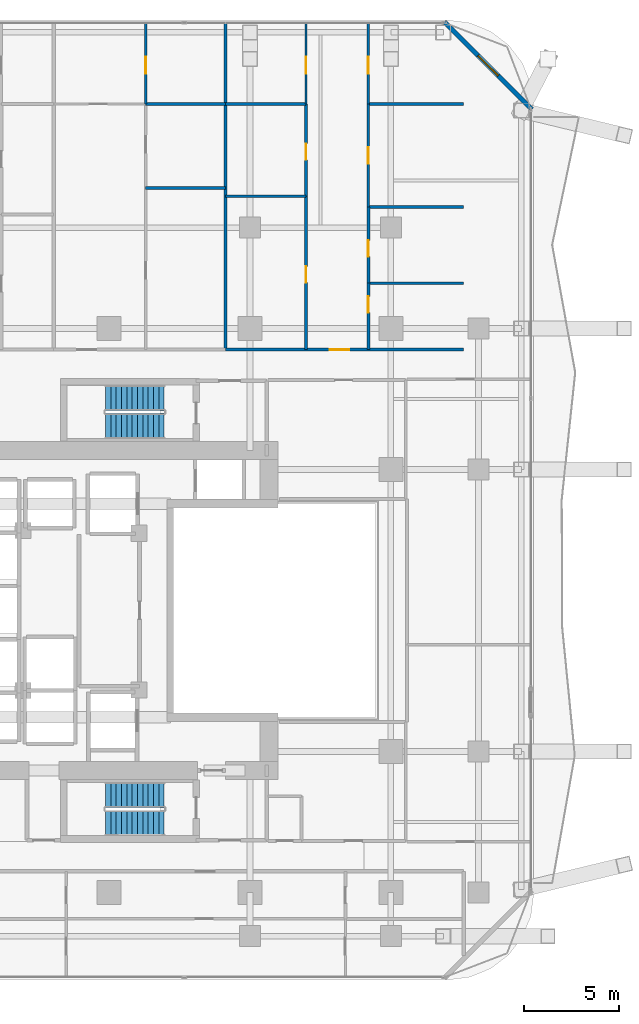
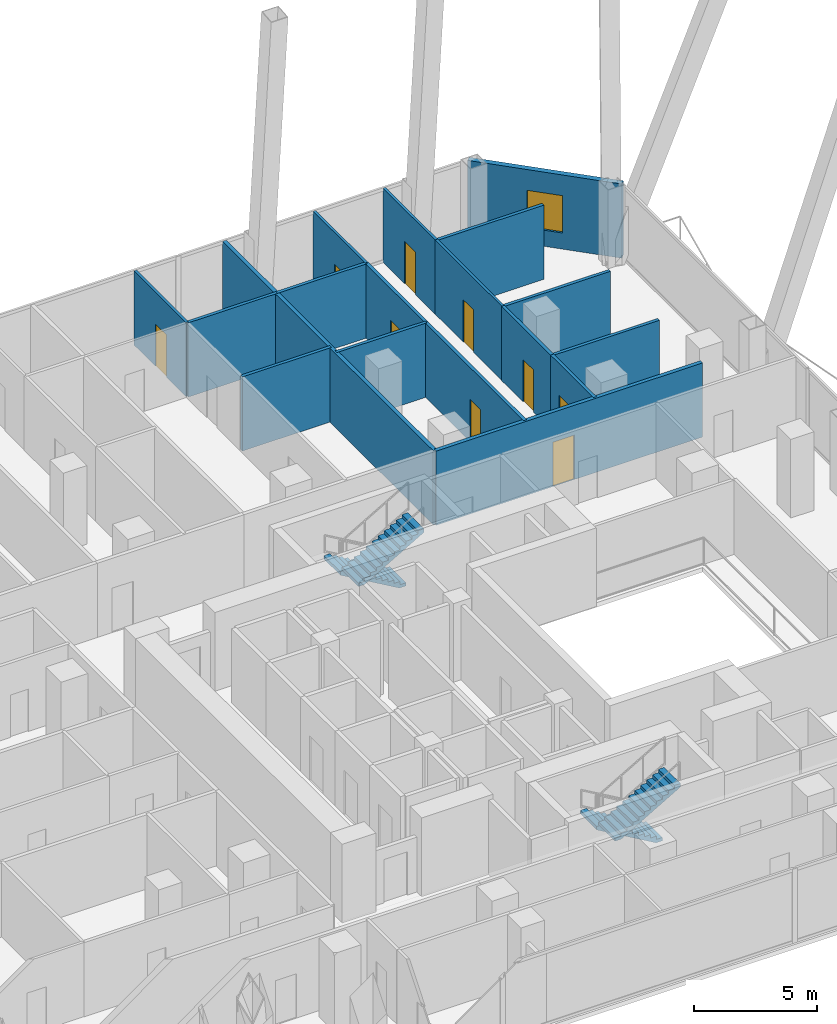
# One storey, part 28 of 32: 18 walls, 9 doors, 4 stair flights, 1 window, 10 openings, 2 elements without a shape of their own.
"""IFC4 building model written with IfcOpenShell, lengths in metres."""

from ifc_helpers import new_model, si_unit, direction, frame, frame_2d, origin, place, context, subcontext, project, spatial, polyline, rectangle, outline, extrude, material, layer, layer_set, type_object, element, fill, aggregate, save


model = new_model("IFC4")

# Units and contexts
model_context = context("Model", 3, precision=1e-05, world=origin(), true_north=direction((0.0, 1.0)))
body_context = subcontext(model_context, "Body", "Model", "MODEL_VIEW")
ifc_project = project(units=[si_unit("LENGTHUNIT", "METRE"), si_unit("AREAUNIT", "SQUARE_METRE"), si_unit("VOLUMEUNIT", "CUBIC_METRE"), si_unit("PLANEANGLEUNIT", "RADIAN"), si_unit("MASSUNIT", "GRAM", prefix="KILO")], contexts=[model_context])

# Site, building, storey
site_placement = place(None, origin())
site = spatial("IfcSite", under=ifc_project, at=site_placement, CompositionType="ELEMENT")
building_placement = place(site_placement, origin())
building = spatial("IfcBuilding", under=site, at=building_placement, Name="Khorvyn Point Tower", CompositionType="ELEMENT")
storey_placement = place(building_placement, frame((0.0, 0.0, 93.0)))
storey = spatial("IfcBuildingStorey", under=building, at=storey_placement, Name="L23", CompositionType="ELEMENT", Elevation=93.0)

# Wall, opening, door
ifc_material_1 = material(Name="Double acoustic gypsum on twin steel stud", Category="steel")
ifc_layer_1 = layer(ifc_material_1, 0.179931640625)
ifc_layer_set_1 = layer_set([ifc_layer_1], Name="Acoustic Double-Stud Apartment Demising Wall 180")
wall_type_1 = type_object("IfcWallType", Name="Acoustic Double-Stud Apartment Demising Wall 180", PredefinedType="PARTITIONING", material=ifc_layer_set_1)
wall_1_placement = place(storey_placement, frame((6.116943359375, 13.699951171875, 0.0), z_axis=(0.0, 0.0, 1.0), x_axis=(1.0, 0.0, 0.0)))
wall_1 = element("IfcWall", 1, at=wall_1_placement, inside=storey, type_object=wall_type_1, Name="Wall", PredefinedType="PARTITIONING", context=body_context, shape_type="SweptSolid", body=[
    extrude(rectangle(XDim=12.503173828125, YDim=0.179931640625, at=frame_2d((6.25146484375, 0.0))), origin(), (0.0, 0.0, 1.0), 3.679931640625),
])
opening_1_placement = place(wall_1_placement, frame((5.485107421875, 0.0, 0.0)))
opening_1 = element("IfcOpeningElement", 2, at=opening_1_placement, cuts=wall_1, Name="Opening ID-AP60", PredefinedType="OPENING", context=body_context, shape_type="SweptSolid", body=[
    extrude(rectangle(XDim=1.0, YDim=2.199951171875, at=frame_2d((0.5, 1.10009765625))), frame((0.0, 0.099853515625, 0.0), z_axis=(0.0, -1.0, 0.0), x_axis=(1.0, 0.0, 0.0)), (0.0, 0.0, 1.0), 0.199951171875),
])
ifc_material_2 = material(Name="Engineered hardwood fire-rated leaf", Category="wood")
door_type_1 = type_object("IfcDoorType", Name="Acoustic Solid-Core Timber Apartment Entrance Door 1000x2200", OperationType="NOTDEFINED", PredefinedType="DOOR", material=ifc_material_2)
door_1_placement = place(opening_1_placement, origin())
door_1 = element("IfcDoor", 3, at=door_1_placement, inside=storey, type_object=door_type_1, Name="Door", OperationType="SINGLE_SWING_LEFT", OverallHeight=2.199951171875, OverallWidth=1.0, PredefinedType="DOOR", context=body_context, shape_type="SweptSolid", body=[
    extrude(rectangle(XDim=1.0, YDim=2.199951171875, at=frame_2d((0.5, 1.10009765625))), frame((0.0, 0.02490234375, 0.0), z_axis=(0.0, -1.0, 0.0), x_axis=(1.0, 0.0, 0.0)), (0.0, 0.0, 1.0), 0.050048828125),
])
fill(opening_1, door_1)

# Wall
wall_2_placement = place(storey_placement, frame((6.116943359375, 13.699951171875, 0.0), z_axis=(0.0, 0.0, 1.0), x_axis=(0.0, 1.0, 0.0)))
element("IfcWall", 4, at=wall_2_placement, inside=storey, type_object=wall_type_1, Name="Wall", PredefinedType="PARTITIONING", context=body_context, shape_type="SweptSolid", body=[
    extrude(rectangle(XDim=17.130126953125, YDim=0.179931640625, at=frame_2d((8.56494140625, 0.0))), origin(), (0.0, 0.0, 1.0), 3.679931640625),
])

# Wall, opening, window
ifc_material_3 = material(Name="Pale anodised aluminium rainscreen on steel stud", Category="steel")
ifc_layer_2 = layer(ifc_material_3, 0.239990234375)
ifc_layer_set_2 = layer_set([ifc_layer_2], Name="Anodised Aluminium Insulated Corner Spandrel Wall 240")
wall_type_2 = type_object("IfcWallType", Name="Anodised Aluminium Insulated Corner Spandrel Wall 240", PredefinedType="SOLIDWALL", material=ifc_layer_set_2)
wall_3_placement = place(storey_placement, frame((17.607666015625, 30.892333984375, 0.0), z_axis=(0.0, 0.0, 1.0), x_axis=(0.707106781187, -0.707106781187, 0.0)))
wall_3 = element("IfcWall", 5, at=wall_3_placement, inside=storey, type_object=wall_type_2, Name="L23 Rounded Corner Wall NE", PredefinedType="SOLIDWALL", context=body_context, shape_type="SweptSolid", body=[
    extrude(rectangle(XDim=6.48388671875, YDim=0.239990234375, at=frame_2d((3.241943359375, 0.0))), origin(), (0.0, 0.0, 1.0), 3.679931640625),
])
opening_2_placement = place(wall_3_placement, frame((2.491943359375, 0.0, 0.800048828125)))
opening_2 = element("IfcOpeningElement", 6, at=opening_2_placement, cuts=wall_3, Name="Opening WN-1518", PredefinedType="OPENING", context=body_context, shape_type="SweptSolid", body=[
    extrude(rectangle(XDim=1.5, YDim=1.85009765625, at=frame_2d((0.75, 0.925048828125))), frame((0.0, 0.1298828125, 0.0), z_axis=(0.0, -1.0, 0.0), x_axis=(1.0, 0.0, 0.0)), (0.0, 0.0, 1.0), 0.260009765625),
])
ifc_material_4 = material(Name="Anodised aluminium 6063-T6 and laminated Low-E glass", Category="aluminium")
window_type = type_object("IfcWindowType", Name="Anodised Aluminium Rounded-Corner Panoramic Window 1500x1850", PartitioningType="SINGLE_PANEL", PredefinedType="WINDOW", material=ifc_material_4)
window_placement = place(opening_2_placement, origin())
window = element("IfcWindow", 7, at=window_placement, inside=storey, type_object=window_type, Name="L23 Corner Panoramic Window NE", OverallHeight=1.85009765625, OverallWidth=1.5, PartitioningType="SINGLE_PANEL", PredefinedType="WINDOW", context=body_context, shape_type="SweptSolid", body=[
    extrude(rectangle(XDim=1.5, YDim=1.85009765625, at=frame_2d((0.75, 0.925048828125))), frame((0.0, 0.030029296875, 0.0), z_axis=(0.0, -1.0, 0.0), x_axis=(1.0, 0.0, 0.0)), (0.0, 0.0, 1.0), 0.06005859375),
])
fill(opening_2, window)

# Wall, opening, door
ifc_material_5 = material(Name="Gypsum plasterboard on steel stud", Category="steel")
ifc_layer_3 = layer(ifc_material_5, 0.1201171875)
ifc_layer_set_3 = layer_set([ifc_layer_3], Name="Gypsum Acoustic Stud Room Partition Wall 120")
wall_type_3 = type_object("IfcWallType", Name="Gypsum Acoustic Stud Room Partition Wall 120", PredefinedType="PARTITIONING", material=ifc_layer_set_3)
wall_4_placement = place(storey_placement, frame((1.927978515625, 26.590087890625, 0.0), z_axis=(0.0, 0.0, 1.0), x_axis=(0.0, 1.0, 0.0)))
wall_4 = element("IfcWall", 8, at=wall_4_placement, inside=storey, type_object=wall_type_3, Name="Wall", PredefinedType="PARTITIONING", context=body_context, shape_type="SweptSolid", body=[
    extrude(rectangle(XDim=4.239990234375, YDim=0.1201171875, at=frame_2d((2.1201171875, 0.0))), origin(), (0.0, 0.0, 1.0), 3.679931640625),
])
opening_3_placement = place(wall_4_placement, frame((1.581298828125, 0.0, 0.0)))
opening_3 = element("IfcOpeningElement", 9, at=opening_3_placement, cuts=wall_4, Name="Opening ID-RM90", PredefinedType="OPENING", context=body_context, shape_type="SweptSolid", body=[
    extrude(rectangle(XDim=0.89990234375, YDim=2.10009765625, at=frame_2d((0.449951171875, 1.050048828125))), frame((0.0, 0.070068359375, 0.0), z_axis=(0.0, -1.0, 0.0), x_axis=(1.0, 0.0, 0.0)), (0.0, 0.0, 1.0), 0.14013671875),
])
ifc_material_6 = material(Name="Engineered oak veneer timber", Category="wood")
door_type_2 = type_object("IfcDoorType", Name="Flush Engineered Timber Room Door 900x2100", OperationType="NOTDEFINED", PredefinedType="DOOR", material=ifc_material_6)
door_2_placement = place(opening_3_placement, origin())
door_2 = element("IfcDoor", 10, at=door_2_placement, inside=storey, type_object=door_type_2, Name="Door", OperationType="SINGLE_SWING_RIGHT", OverallHeight=2.10009765625, OverallWidth=0.89990234375, PredefinedType="DOOR", context=body_context, shape_type="SweptSolid", body=[
    extrude(rectangle(XDim=0.89990234375, YDim=2.10009765625, at=frame_2d((0.449951171875, 1.050048828125))), frame((0.0, 0.02490234375, 0.0), z_axis=(0.0, -1.0, 0.0), x_axis=(1.0, 0.0, 0.0)), (0.0, 0.0, 1.0), 0.050048828125),
])
fill(opening_3, door_2)

wall_5_placement = place(storey_placement, frame((10.343017578125, 26.590087890625, 0.0), z_axis=(0.0, 0.0, 1.0), x_axis=(0.0, 1.0, 0.0)))
wall_5 = element("IfcWall", 11, at=wall_5_placement, inside=storey, type_object=wall_type_3, Name="Wall", PredefinedType="PARTITIONING", context=body_context, shape_type="SweptSolid", body=[
    extrude(rectangle(XDim=4.239990234375, YDim=0.1201171875, at=frame_2d((2.1201171875, 0.0))), origin(), (0.0, 0.0, 1.0), 3.679931640625),
])
opening_4_placement = place(wall_5_placement, frame((1.581298828125, 0.0, 0.0)))
opening_4 = element("IfcOpeningElement", 12, at=opening_4_placement, cuts=wall_5, Name="Opening ID-RM90", PredefinedType="OPENING", context=body_context, shape_type="SweptSolid", body=[
    extrude(rectangle(XDim=0.89990234375, YDim=2.10009765625, at=frame_2d((0.449951171875, 1.050048828125))), frame((0.0, 0.070068359375, 0.0), z_axis=(0.0, -1.0, 0.0), x_axis=(1.0, 0.0, 0.0)), (0.0, 0.0, 1.0), 0.14013671875),
])
door_3_placement = place(opening_4_placement, origin())
door_3 = element("IfcDoor", 13, at=door_3_placement, inside=storey, type_object=door_type_2, Name="Door", OperationType="SINGLE_SWING_RIGHT", OverallHeight=2.10009765625, OverallWidth=0.89990234375, PredefinedType="DOOR", context=body_context, shape_type="SweptSolid", body=[
    extrude(rectangle(XDim=0.89990234375, YDim=2.10009765625, at=frame_2d((0.449951171875, 1.050048828125))), frame((0.0, 0.02490234375, 0.0), z_axis=(0.0, -1.0, 0.0), x_axis=(1.0, 0.0, 0.0)), (0.0, 0.0, 1.0), 0.050048828125),
])
fill(opening_4, door_3)

wall_6_placement = place(storey_placement, frame((13.618896484375, 21.176025390625, 0.0), z_axis=(0.0, 0.0, 1.0), x_axis=(0.0, 1.0, 0.0)))
wall_6 = element("IfcWall", 14, at=wall_6_placement, inside=storey, type_object=wall_type_3, Name="Wall", PredefinedType="PARTITIONING", context=body_context, shape_type="SweptSolid", body=[
    extrude(rectangle(XDim=5.4140625, YDim=0.1201171875, at=frame_2d((2.70703125, 0.0))), origin(), (0.0, 0.0, 1.0), 3.679931640625),
])
opening_5_placement = place(wall_6_placement, frame((2.281982421875, 0.0, 0.0)))
opening_5 = element("IfcOpeningElement", 15, at=opening_5_placement, cuts=wall_6, Name="Opening ID-WC85", PredefinedType="OPENING", context=body_context, shape_type="SweptSolid", body=[
    extrude(rectangle(XDim=0.85009765625, YDim=2.10009765625, at=frame_2d((0.425048828125, 1.050048828125))), frame((0.0, 0.070068359375, 0.0), z_axis=(0.0, -1.0, 0.0), x_axis=(1.0, 0.0, 0.0)), (0.0, 0.0, 1.0), 0.14013671875),
])
ifc_material_7 = material(Name="High-pressure laminate on moisture-resistant core", Category="wood")
door_type_3 = type_object("IfcDoorType", Name="Moisture-Resistant Accessible Washroom Door 850x2100", OperationType="NOTDEFINED", PredefinedType="DOOR", material=ifc_material_7)
door_4_placement = place(opening_5_placement, origin())
door_4 = element("IfcDoor", 16, at=door_4_placement, inside=storey, type_object=door_type_3, Name="Door", OperationType="SINGLE_SWING_LEFT", OverallHeight=2.10009765625, OverallWidth=0.85009765625, PredefinedType="DOOR", context=body_context, shape_type="SweptSolid", body=[
    extrude(rectangle(XDim=0.85009765625, YDim=2.10009765625, at=frame_2d((0.425048828125, 1.050048828125))), frame((0.0, 0.02490234375, 0.0), z_axis=(0.0, -1.0, 0.0), x_axis=(1.0, 0.0, 0.0)), (0.0, 0.0, 1.0), 0.050048828125),
])
fill(opening_5, door_4)

wall_7_placement = place(storey_placement, frame((13.618896484375, 26.590087890625, 0.0), z_axis=(0.0, 0.0, 1.0), x_axis=(0.0, 1.0, 0.0)))
wall_7 = element("IfcWall", 17, at=wall_7_placement, inside=storey, type_object=wall_type_3, Name="Wall", PredefinedType="PARTITIONING", context=body_context, shape_type="SweptSolid", body=[
    extrude(rectangle(XDim=4.239990234375, YDim=0.1201171875, at=frame_2d((2.1201171875, 0.0))), origin(), (0.0, 0.0, 1.0), 3.679931640625),
])
opening_6_placement = place(wall_7_placement, frame((1.581298828125, 0.0, 0.0)))
opening_6 = element("IfcOpeningElement", 18, at=opening_6_placement, cuts=wall_7, Name="Opening ID-RM90", PredefinedType="OPENING", context=body_context, shape_type="SweptSolid", body=[
    extrude(rectangle(XDim=0.89990234375, YDim=2.10009765625, at=frame_2d((0.449951171875, 1.050048828125))), frame((0.0, 0.070068359375, 0.0), z_axis=(0.0, -1.0, 0.0), x_axis=(1.0, 0.0, 0.0)), (0.0, 0.0, 1.0), 0.14013671875),
])
door_5_placement = place(opening_6_placement, origin())
door_5 = element("IfcDoor", 19, at=door_5_placement, inside=storey, type_object=door_type_2, Name="Door", OperationType="SINGLE_SWING_RIGHT", OverallHeight=2.10009765625, OverallWidth=0.89990234375, PredefinedType="DOOR", context=body_context, shape_type="SweptSolid", body=[
    extrude(rectangle(XDim=0.89990234375, YDim=2.10009765625, at=frame_2d((0.449951171875, 1.050048828125))), frame((0.0, 0.02490234375, 0.0), z_axis=(0.0, -1.0, 0.0), x_axis=(1.0, 0.0, 0.0)), (0.0, 0.0, 1.0), 0.050048828125),
])
fill(opening_6, door_5)

ifc_material_8 = material(Name="Moisture-resistant gypsum and cement board", Category="gypsum")
ifc_layer_4 = layer(ifc_material_8, 0.14990234375)
ifc_layer_set_4 = layer_set([ifc_layer_4], Name="Moisture-Resistant Wet-Room Partition Wall 150")
wall_type_4 = type_object("IfcWallType", Name="Moisture-Resistant Wet-Room Partition Wall 150", PredefinedType="PARTITIONING", material=ifc_layer_set_4)
wall_8_placement = place(storey_placement, frame((10.343017578125, 13.699951171875, 0.0), z_axis=(0.0, 0.0, 1.0), x_axis=(0.0, 1.0, 0.0)))
wall_8 = element("IfcWall", 20, at=wall_8_placement, inside=storey, type_object=wall_type_4, Name="Wall", PredefinedType="PARTITIONING", context=body_context, shape_type="SweptSolid", body=[
    extrude(rectangle(XDim=8.045166015625, YDim=0.14990234375, at=frame_2d((4.0224609375, 0.0))), origin(), (0.0, 0.0, 1.0), 3.679931640625),
])
opening_7_placement = place(wall_8_placement, frame((3.509521484375, 0.0, 0.0)))
opening_7 = element("IfcOpeningElement", 21, at=opening_7_placement, cuts=wall_8, Name="Opening ID-WC85", PredefinedType="OPENING", context=body_context, shape_type="SweptSolid", body=[
    extrude(rectangle(XDim=0.85009765625, YDim=2.10009765625, at=frame_2d((0.425048828125, 1.050048828125))), frame((0.0, 0.0849609375, 0.0), z_axis=(0.0, -1.0, 0.0), x_axis=(1.0, 0.0, 0.0)), (0.0, 0.0, 1.0), 0.169921875),
])
door_6_placement = place(opening_7_placement, origin())
door_6 = element("IfcDoor", 22, at=door_6_placement, inside=storey, type_object=door_type_3, Name="Door", OperationType="SINGLE_SWING_RIGHT", OverallHeight=2.10009765625, OverallWidth=0.85009765625, PredefinedType="DOOR", context=body_context, shape_type="SweptSolid", body=[
    extrude(rectangle(XDim=0.85009765625, YDim=2.10009765625, at=frame_2d((0.425048828125, 1.050048828125))), frame((0.0, 0.02490234375, 0.0), z_axis=(0.0, -1.0, 0.0), x_axis=(1.0, 0.0, 0.0)), (0.0, 0.0, 1.0), 0.050048828125),
])
fill(opening_7, door_6)

wall_9_placement = place(storey_placement, frame((10.343017578125, 21.7451171875, 0.0), z_axis=(0.0, 0.0, 1.0), x_axis=(0.0, 1.0, 0.0)))
wall_9 = element("IfcWall", 23, at=wall_9_placement, inside=storey, type_object=wall_type_4, Name="Wall", PredefinedType="PARTITIONING", context=body_context, shape_type="SweptSolid", body=[
    extrude(rectangle(XDim=4.844970703125, YDim=0.14990234375, at=frame_2d((2.42236328125, 0.0))), origin(), (0.0, 0.0, 1.0), 3.679931640625),
])
opening_8_placement = place(wall_9_placement, frame((1.909912109375, 0.0, 0.0)))
opening_8 = element("IfcOpeningElement", 24, at=opening_8_placement, cuts=wall_9, Name="Opening ID-WC85", PredefinedType="OPENING", context=body_context, shape_type="SweptSolid", body=[
    extrude(rectangle(XDim=0.85009765625, YDim=2.10009765625, at=frame_2d((0.425048828125, 1.050048828125))), frame((0.0, 0.0849609375, 0.0), z_axis=(0.0, -1.0, 0.0), x_axis=(1.0, 0.0, 0.0)), (0.0, 0.0, 1.0), 0.169921875),
])
door_7_placement = place(opening_8_placement, origin())
door_7 = element("IfcDoor", 25, at=door_7_placement, inside=storey, type_object=door_type_3, Name="Door", OperationType="SINGLE_SWING_LEFT", OverallHeight=2.10009765625, OverallWidth=0.85009765625, PredefinedType="DOOR", context=body_context, shape_type="SweptSolid", body=[
    extrude(rectangle(XDim=0.85009765625, YDim=2.10009765625, at=frame_2d((0.425048828125, 1.050048828125))), frame((0.0, 0.02490234375, 0.0), z_axis=(0.0, -1.0, 0.0), x_axis=(1.0, 0.0, 0.0)), (0.0, 0.0, 1.0), 0.050048828125),
])
fill(opening_8, door_7)

wall_10_placement = place(storey_placement, frame((13.618896484375, 13.699951171875, 0.0), z_axis=(0.0, 0.0, 1.0), x_axis=(0.0, 1.0, 0.0)))
wall_10 = element("IfcWall", 26, at=wall_10_placement, inside=storey, type_object=wall_type_4, Name="Wall", PredefinedType="PARTITIONING", context=body_context, shape_type="SweptSolid", body=[
    extrude(rectangle(XDim=3.47998046875, YDim=0.14990234375, at=frame_2d((1.739990234375, 0.0))), origin(), (0.0, 0.0, 1.0), 3.679931640625),
])
opening_9_placement = place(wall_10_placement, frame((1.93701171875, 0.0, 0.0)))
opening_9 = element("IfcOpeningElement", 27, at=opening_9_placement, cuts=wall_10, Name="Opening ID-WC85", PredefinedType="OPENING", context=body_context, shape_type="SweptSolid", body=[
    extrude(rectangle(XDim=0.85009765625, YDim=2.10009765625, at=frame_2d((0.425048828125, 1.050048828125))), frame((0.0, 0.0849609375, 0.0), z_axis=(0.0, -1.0, 0.0), x_axis=(1.0, 0.0, 0.0)), (0.0, 0.0, 1.0), 0.169921875),
])
door_8_placement = place(opening_9_placement, origin())
door_8 = element("IfcDoor", 28, at=door_8_placement, inside=storey, type_object=door_type_3, Name="Door", OperationType="SINGLE_SWING_LEFT", OverallHeight=2.10009765625, OverallWidth=0.85009765625, PredefinedType="DOOR", context=body_context, shape_type="SweptSolid", body=[
    extrude(rectangle(XDim=0.85009765625, YDim=2.10009765625, at=frame_2d((0.425048828125, 1.050048828125))), frame((0.0, 0.02490234375, 0.0), z_axis=(0.0, -1.0, 0.0), x_axis=(1.0, 0.0, 0.0)), (0.0, 0.0, 1.0), 0.050048828125),
])
fill(opening_9, door_8)

wall_11_placement = place(storey_placement, frame((13.618896484375, 17.179931640625, 0.0), z_axis=(0.0, 0.0, 1.0), x_axis=(0.0, 1.0, 0.0)))
wall_11 = element("IfcWall", 29, at=wall_11_placement, inside=storey, type_object=wall_type_4, Name="Wall", PredefinedType="PARTITIONING", context=body_context, shape_type="SweptSolid", body=[
    extrude(rectangle(XDim=3.99609375, YDim=0.14990234375, at=frame_2d((1.998046875, 0.0))), origin(), (0.0, 0.0, 1.0), 3.679931640625),
])
opening_10_placement = place(wall_11_placement, frame((1.396484375, 0.0, 0.0)))
opening_10 = element("IfcOpeningElement", 30, at=opening_10_placement, cuts=wall_11, Name="Opening ID-WC85", PredefinedType="OPENING", context=body_context, shape_type="SweptSolid", body=[
    extrude(rectangle(XDim=0.85009765625, YDim=2.10009765625, at=frame_2d((0.425048828125, 1.050048828125))), frame((0.0, 0.0849609375, 0.0), z_axis=(0.0, -1.0, 0.0), x_axis=(1.0, 0.0, 0.0)), (0.0, 0.0, 1.0), 0.169921875),
])
door_9_placement = place(opening_10_placement, origin())
door_9 = element("IfcDoor", 31, at=door_9_placement, inside=storey, type_object=door_type_3, Name="Door", OperationType="SINGLE_SWING_RIGHT", OverallHeight=2.10009765625, OverallWidth=0.85009765625, PredefinedType="DOOR", context=body_context, shape_type="SweptSolid", body=[
    extrude(rectangle(XDim=0.85009765625, YDim=2.10009765625, at=frame_2d((0.425048828125, 1.050048828125))), frame((0.0, 0.02490234375, 0.0), z_axis=(0.0, -1.0, 0.0), x_axis=(1.0, 0.0, 0.0)), (0.0, 0.0, 1.0), 0.050048828125),
])
fill(opening_10, door_9)

# Walls
for number, where, z_axis, x_axis, name in (
    (32, (1.927978515625, 22.174072265625, 0.0), (0.0, 0.0, 1.0), (1.0, 0.0, 0.0), "Wall"),
    (33, (1.927978515625, 26.590087890625, 0.0), (0.0, 0.0, 1.0), (1.0, 0.0, 0.0), "Wall"),
):
    element("IfcWall", number, at=place(storey_placement, frame(where, z_axis=z_axis, x_axis=x_axis)), inside=storey, type_object=wall_type_4, Name=name, PredefinedType="PARTITIONING", context=body_context, shape_type="SweptSolid", body=[
        extrude(rectangle(XDim=4.18896484375, YDim=0.14990234375, at=frame_2d((2.094482421875, 0.0))), origin(), (0.0, 0.0, 1.0), 3.679931640625),
    ])
for number, where, z_axis, x_axis, name in (
    (34, (6.116943359375, 21.7451171875, 0.0), (0.0, 0.0, 1.0), (1.0, 0.0, 0.0), "Wall"),
    (35, (6.116943359375, 26.590087890625, 0.0), (0.0, 0.0, 1.0), (1.0, 0.0, 0.0), "Wall"),
):
    element("IfcWall", number, at=place(storey_placement, frame(where, z_axis=z_axis, x_axis=x_axis)), inside=storey, type_object=wall_type_4, Name=name, PredefinedType="PARTITIONING", context=body_context, shape_type="SweptSolid", body=[
        extrude(rectangle(XDim=4.22607421875, YDim=0.14990234375, at=frame_2d((2.113037109375, 0.0))), origin(), (0.0, 0.0, 1.0), 3.679931640625),
    ])
for number, where, z_axis, x_axis, name in (
    (36, (13.618896484375, 17.179931640625, 0.0), (0.0, 0.0, 1.0), (1.0, 0.0, 0.0), "Wall"),
    (37, (13.618896484375, 21.176025390625, 0.0), (0.0, 0.0, 1.0), (1.0, 0.0, 0.0), "Wall"),
    (38, (13.618896484375, 26.590087890625, 0.0), (0.0, 0.0, 1.0), (1.0, 0.0, 0.0), "Wall"),
):
    element("IfcWall", number, at=place(storey_placement, frame(where, z_axis=z_axis, x_axis=x_axis)), inside=storey, type_object=wall_type_4, Name=name, PredefinedType="PARTITIONING", context=body_context, shape_type="SweptSolid", body=[
        extrude(rectangle(XDim=5.001220703125, YDim=0.14990234375, at=frame_2d((2.50048828125, 0.0))), origin(), (0.0, 0.0, 1.0), 3.679931640625),
    ])

# Stair, stair flights
ifc_material_9 = material(Name="Concrete C40/50", Category="concrete")
stair_type = type_object("IfcStairType", Name="Tower Concrete C40/50 Dogleg Exit Stair", PredefinedType="HALF_TURN_STAIR", material=ifc_material_9)
stair_1_placement = place(storey_placement, origin())
stair_1 = element("IfcStair", 39, at=stair_1_placement, inside=storey, type_object=stair_type, Name="L23 Tower Smokeproof Exit Stair South", PredefinedType="HALF_TURN_STAIR")
stair_flight_type = type_object("IfcStairFlightType", Name="Tower Concrete C40/50 Stair Flight", PredefinedType="STRAIGHT", material=ifc_material_9)
stair_flight_1_placement = place(storey_placement, frame((2.89990234375, -9.679931640625, 0.0), z_axis=(0.0, 0.0, 1.0), x_axis=(-1.0, 0.0, 0.0)))
stair_flight_1 = element("IfcStairFlight", 40, at=stair_flight_1_placement, type_object=stair_flight_type, Name="ST-01 flight 1", NumberOfRisers=12, NumberOfTreads=11, PredefinedType="STRAIGHT", RiserHeight=0.1625, TreadLength=0.28, context=body_context, shape_type="SweptSolid", body=[
    extrude(outline(polyline([(0.0, 0.0), (0.0, 0.16259765625), (0.280029296875, 0.16259765625), (0.280029296875, 0.324951171875), (0.56005859375, 0.324951171875), (0.56005859375, 0.487548828125), (0.840087890625, 0.487548828125), (0.840087890625, 0.64990234375), (1.1201171875, 0.64990234375), (1.1201171875, 0.8125), (1.39990234375, 0.8125), (1.39990234375, 0.97509765625), (1.679931640625, 0.97509765625), (1.679931640625, 1.137451171875), (1.9599609375, 1.137451171875), (1.9599609375, 1.300048828125), (2.239990234375, 1.300048828125), (2.239990234375, 1.46240234375), (2.52001953125, 1.46240234375), (2.52001953125, 1.625), (2.800048828125, 1.625), (2.800048828125, 1.78759765625), (3.080078125, 1.78759765625), (3.080078125, 1.949951171875), (3.080078125, 1.6142578125), (0.298583984375, 0.0), (0.0, 0.0)])), frame((0.0, 0.66015625, 0.0), z_axis=(0.0, -1.0, 0.0), x_axis=(1.0, 0.0, 0.0)), (0.0, 0.0, 1.0), 1.320068359375),
])
stair_flight_2_placement = place(storey_placement, frame((-0.179931640625, -11.159912109375, 1.949951171875), z_axis=(0.0, 0.0, 1.0), x_axis=(1.0, 0.0, 0.0)))
stair_flight_2 = element("IfcStairFlight", 41, at=stair_flight_2_placement, type_object=stair_flight_type, Name="ST-01 flight 2", NumberOfRisers=12, NumberOfTreads=11, PredefinedType="STRAIGHT", RiserHeight=0.1625, TreadLength=0.28, context=body_context, shape_type="SweptSolid", body=[
    extrude(outline(polyline([(0.0, 0.0), (0.0, 0.16259765625), (0.280029296875, 0.16259765625), (0.280029296875, 0.324951171875), (0.56005859375, 0.324951171875), (0.56005859375, 0.487548828125), (0.840087890625, 0.487548828125), (0.840087890625, 0.64990234375), (1.1201171875, 0.64990234375), (1.1201171875, 0.8125), (1.39990234375, 0.8125), (1.39990234375, 0.97509765625), (1.679931640625, 0.97509765625), (1.679931640625, 1.137451171875), (1.9599609375, 1.137451171875), (1.9599609375, 1.300048828125), (2.239990234375, 1.300048828125), (2.239990234375, 1.46240234375), (2.52001953125, 1.46240234375), (2.52001953125, 1.625), (2.800048828125, 1.625), (2.800048828125, 1.78759765625), (3.080078125, 1.78759765625), (3.080078125, 1.949951171875), (3.080078125, 1.6142578125), (0.298583984375, 0.0), (0.0, 0.0)])), frame((0.0, 0.66015625, 0.0), z_axis=(0.0, -1.0, 0.0), x_axis=(1.0, 0.0, 0.0)), (0.0, 0.0, 1.0), 1.320068359375),
])
aggregate(stair_1, [stair_flight_1, stair_flight_2])

stair_2_placement = place(storey_placement, origin())
stair_2 = element("IfcStair", 42, at=stair_2_placement, inside=storey, type_object=stair_type, Name="L23 Tower Smokeproof Exit Stair North", PredefinedType="HALF_TURN_STAIR")
stair_flight_3_placement = place(storey_placement, frame((2.89990234375, 11.159912109375, 0.0), z_axis=(0.0, 0.0, 1.0), x_axis=(-1.0, 0.0, 0.0)))
stair_flight_3 = element("IfcStairFlight", 43, at=stair_flight_3_placement, type_object=stair_flight_type, Name="ST-02 flight 1", NumberOfRisers=12, NumberOfTreads=11, PredefinedType="STRAIGHT", RiserHeight=0.1625, TreadLength=0.28, context=body_context, shape_type="SweptSolid", body=[
    extrude(outline(polyline([(0.0, 0.0), (0.0, 0.16259765625), (0.280029296875, 0.16259765625), (0.280029296875, 0.324951171875), (0.56005859375, 0.324951171875), (0.56005859375, 0.487548828125), (0.840087890625, 0.487548828125), (0.840087890625, 0.64990234375), (1.1201171875, 0.64990234375), (1.1201171875, 0.8125), (1.39990234375, 0.8125), (1.39990234375, 0.97509765625), (1.679931640625, 0.97509765625), (1.679931640625, 1.137451171875), (1.9599609375, 1.137451171875), (1.9599609375, 1.300048828125), (2.239990234375, 1.300048828125), (2.239990234375, 1.46240234375), (2.52001953125, 1.46240234375), (2.52001953125, 1.625), (2.800048828125, 1.625), (2.800048828125, 1.78759765625), (3.080078125, 1.78759765625), (3.080078125, 1.949951171875), (3.080078125, 1.6142578125), (0.298583984375, 0.0), (0.0, 0.0)])), frame((0.0, 0.66015625, 0.0), z_axis=(0.0, -1.0, 0.0), x_axis=(1.0, 0.0, 0.0)), (0.0, 0.0, 1.0), 1.320068359375),
])
stair_flight_4_placement = place(storey_placement, frame((-0.179931640625, 9.679931640625, 1.949951171875), z_axis=(0.0, 0.0, 1.0), x_axis=(1.0, 0.0, 0.0)))
stair_flight_4 = element("IfcStairFlight", 44, at=stair_flight_4_placement, type_object=stair_flight_type, Name="ST-02 flight 2", NumberOfRisers=12, NumberOfTreads=11, PredefinedType="STRAIGHT", RiserHeight=0.1625, TreadLength=0.28, context=body_context, shape_type="SweptSolid", body=[
    extrude(outline(polyline([(0.0, 0.0), (0.0, 0.16259765625), (0.280029296875, 0.16259765625), (0.280029296875, 0.324951171875), (0.56005859375, 0.324951171875), (0.56005859375, 0.487548828125), (0.840087890625, 0.487548828125), (0.840087890625, 0.64990234375), (1.1201171875, 0.64990234375), (1.1201171875, 0.8125), (1.39990234375, 0.8125), (1.39990234375, 0.97509765625), (1.679931640625, 0.97509765625), (1.679931640625, 1.137451171875), (1.9599609375, 1.137451171875), (1.9599609375, 1.300048828125), (2.239990234375, 1.300048828125), (2.239990234375, 1.46240234375), (2.52001953125, 1.46240234375), (2.52001953125, 1.625), (2.800048828125, 1.625), (2.800048828125, 1.78759765625), (3.080078125, 1.78759765625), (3.080078125, 1.949951171875), (3.080078125, 1.6142578125), (0.298583984375, 0.0), (0.0, 0.0)])), frame((0.0, 0.66015625, 0.0), z_axis=(0.0, -1.0, 0.0), x_axis=(1.0, 0.0, 0.0)), (0.0, 0.0, 1.0), 1.320068359375),
])
aggregate(stair_2, [stair_flight_3, stair_flight_4])

save(model, "model.ifc")
